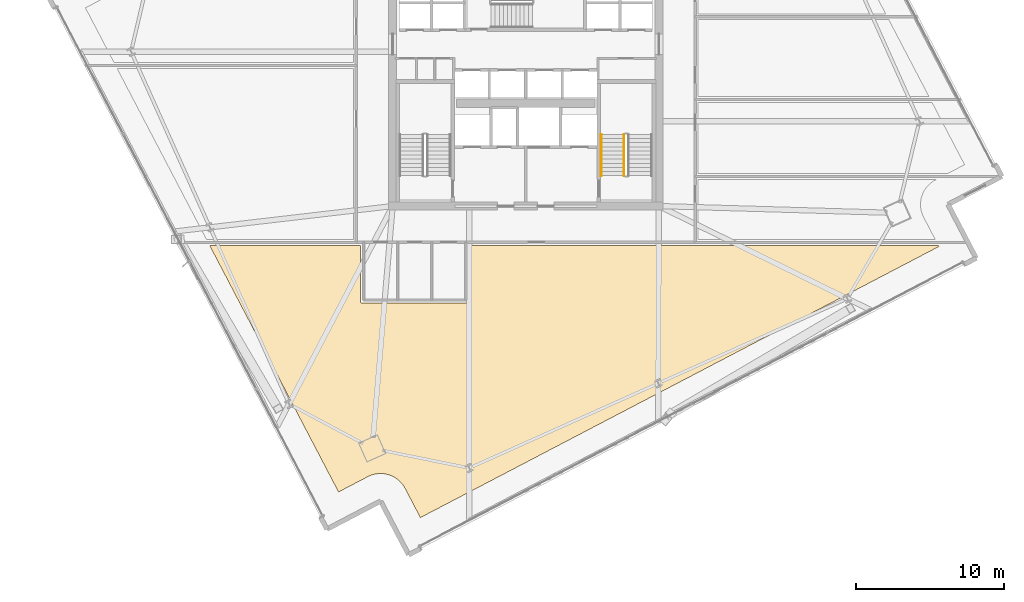
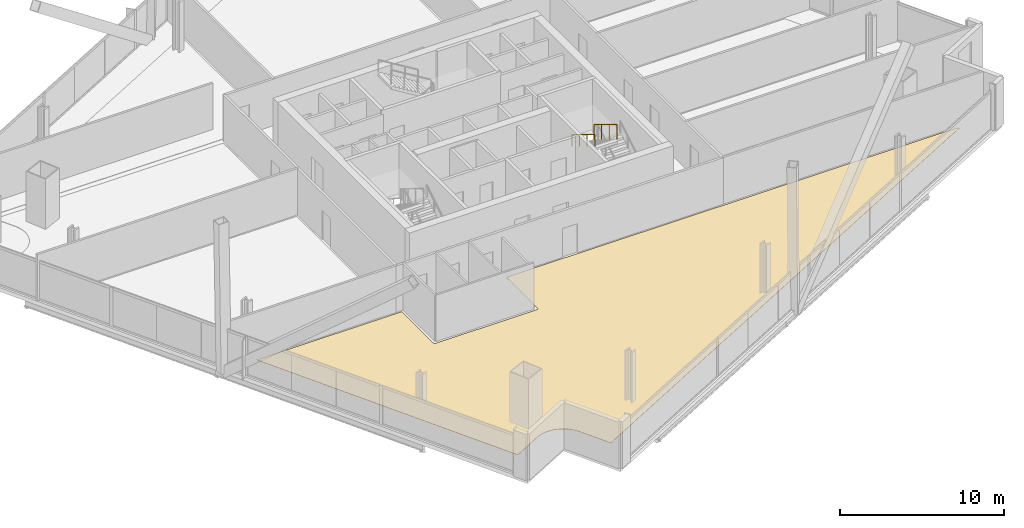
# One storey, part 30 of 33: 2 railings, 1 covering.
"""IFC4 building model written with IfcOpenShell, lengths in metres."""

import ifcopenshell
import ifcopenshell.guid

model = None  # the IFC model being written
_history = None  # IfcOwnerHistory: only IFC2X3 demands one
_inside = {}  # id of a spatial element -> (the spatial element, [elements in it])
_under = {}  # id of a project, library or spatial element -> (it, [spatial elements below it])
_declared = {}  # id of a project -> (the project, [libraries it declares])
_typed = {}  # id of a type object -> (the type object, [elements of that type])
_made_of = {}  # id of a material, layer set ... -> (it, [elements and type objects made of it])


def new_model(schema):
    """Start an empty IFC model of exactly this schema.

    Asked for "IFC4X3", IfcOpenShell would pick the latest addendum, in which some entities
    have other attributes; the version numbers below select the first issue.
    IFC2X3 requires an IfcOwnerHistory on every rooted entity: one is made here for all.
    """
    global model, _history
    if schema == "IFC4X3":
        model = ifcopenshell.file(schema_version=(4, 3, 0, 0))
    else:
        model = ifcopenshell.file(schema=schema)
    _inside.clear()
    _under.clear()
    _declared.clear()
    _typed.clear()
    _made_of.clear()
    _history = None
    if model.schema == "IFC2X3":
        org = make("IfcOrganization", Name="unknown")
        user = make(
            "IfcPersonAndOrganization",
            ThePerson=make("IfcPerson", FamilyName="unknown"),
            TheOrganization=org,
        )
        app = make(
            "IfcApplication",
            ApplicationDeveloper=org,
            Version="unknown",
            ApplicationFullName="unknown",
            ApplicationIdentifier="unknown",
        )
        _history = make(
            "IfcOwnerHistory",
            OwningUser=user,
            OwningApplication=app,
            ChangeAction="ADDED",
            CreationDate=0,
        )
    return model


def make(cls, **values):
    """One entity of the class cls with the attributes given. An attribute that is None is left unset."""
    return model.create_entity(
        cls, **{name: value for name, value in values.items() if value is not None}
    )


def rooted(cls, **values):
    """An entity with a GlobalId (a new one), such as an element, a storey or a relation."""
    return make(cls, GlobalId=ifcopenshell.guid.new(), OwnerHistory=_history, **values)


def si_unit(unit_type, name, prefix=None):
    """IfcSIUnit, for example si_unit("LENGTHUNIT", "METRE", prefix="MILLI")."""
    return make("IfcSIUnit", UnitType=unit_type, Prefix=prefix, Name=name)


def assignment(units):
    """IfcUnitAssignment: the units of a project."""
    return None if units is None else make("IfcUnitAssignment", Units=units)


def point(xyz):
    """IfcCartesianPoint."""
    return None if xyz is None else make("IfcCartesianPoint", Coordinates=xyz)


def direction(xyz):
    """IfcDirection."""
    return None if xyz is None else make("IfcDirection", DirectionRatios=xyz)


def frame(location, z_axis=None, x_axis=None):
    """IfcAxis2Placement3D, a coordinate frame: its origin and axes. An axis left out is left unset."""
    return make(
        "IfcAxis2Placement3D",
        Location=point(location),
        Axis=direction(z_axis),
        RefDirection=direction(x_axis),
    )


def frame_2d(location, x_axis=None):
    """IfcAxis2Placement2D, a coordinate frame in the plane: its origin and x axis."""
    return make(
        "IfcAxis2Placement2D", Location=point(location), RefDirection=direction(x_axis)
    )


def origin():
    """The frame at (0, 0, 0) with its axes left unset."""
    return frame((0.0, 0.0, 0.0))


def origin_2d():
    """The frame at (0, 0) in the plane with its x axis left unset."""
    return frame_2d((0.0, 0.0))


def place(relative_to, where):
    """IfcLocalPlacement: puts the frame where relative to a parent placement (None: the world)."""
    return make(
        "IfcLocalPlacement", PlacementRelTo=relative_to, RelativePlacement=where
    )


def context(
    kind, dimensions, precision=None, world=None, true_north=None, identifier=None
):
    """IfcGeometricRepresentationContext, for example the 3D "Model" context."""
    return make(
        "IfcGeometricRepresentationContext",
        ContextIdentifier=identifier,
        ContextType=kind,
        CoordinateSpaceDimension=dimensions,
        Precision=precision,
        WorldCoordinateSystem=world,
        TrueNorth=true_north,
    )


def subcontext(parent, identifier, kind, view, scale=None):
    """IfcGeometricRepresentationSubContext, for example "Body" below "Model"."""
    return make(
        "IfcGeometricRepresentationSubContext",
        ContextIdentifier=identifier,
        ContextType=kind,
        ParentContext=parent,
        TargetScale=scale,
        TargetView=view,
    )


def project(units=None, contexts=None):
    """IfcProject with its units and contexts."""
    return rooted(
        "IfcProject",
        Name="project",
        RepresentationContexts=contexts,
        UnitsInContext=assignment(units),
    )


def spatial(cls, under=None, at=None, **own):
    """A site, building, storey or space (cls), placed at a placement, below another one or the project."""
    s = rooted(cls, ObjectPlacement=at, **own)
    if under is not None:
        _under.setdefault(under.id(), (under, []))[1].append(s)
    return s


def polyline(points):
    """IfcPolyline through the points."""
    return make("IfcPolyline", Points=[point(p) for p in points])


def profile(cls, at=None, kind="AREA", **sizes):
    """A parametric profile (cls). Its sizes go by their IFC names, for example OverallWidth=200.0."""
    return make(cls, ProfileType=kind, Position=at, **sizes)


def rectangle(**sizes):
    """IfcRectangleProfileDef."""
    return profile("IfcRectangleProfileDef", **sizes)


def outline(outer, holes=None, kind="AREA"):
    """IfcArbitraryClosedProfileDef: a profile drawn as a closed curve; with holes, ...WithVoids."""
    if holes is None:
        return make("IfcArbitraryClosedProfileDef", ProfileType=kind, OuterCurve=outer)
    return make(
        "IfcArbitraryProfileDefWithVoids",
        ProfileType=kind,
        OuterCurve=outer,
        InnerCurves=holes,
    )


def extrude(swept, where, along, depth):
    """IfcExtrudedAreaSolid: the profile swept, set in the frame where, extruded along a direction by depth."""
    return make(
        "IfcExtrudedAreaSolid",
        SweptArea=swept,
        Position=where,
        ExtrudedDirection=direction(along),
        Depth=depth,
    )


def shape(context_of_items, identifier, shape_type, items):
    """IfcShapeRepresentation: the items that make up one representation, for example the "Body"."""
    return make(
        "IfcShapeRepresentation",
        ContextOfItems=context_of_items,
        RepresentationIdentifier=identifier,
        RepresentationType=shape_type,
        Items=items,
    )


def material(Name=None, Category=None):
    """IfcMaterial."""
    return make("IfcMaterial", Name=Name, Category=Category)


def layer(
    of_material, thickness, ventilated=None, Name=None, Category=None, Priority=None
):
    """IfcMaterialLayer: one layer of a wall or slab, of a material (None: an air gap)."""
    return make(
        "IfcMaterialLayer",
        Material=of_material,
        LayerThickness=thickness,
        IsVentilated=ventilated,
        Name=Name,
        Category=Category,
        Priority=Priority,
    )


def layer_set(layers, Name=None):
    """IfcMaterialLayerSet."""
    return make("IfcMaterialLayerSet", MaterialLayers=layers, LayerSetName=Name)


def made_of(thing, what):
    """Note that an element or type object is made of a material, layer set ...; save() writes the relation."""
    if what is not None:
        _made_of.setdefault(what.id(), (what, []))[1].append(thing)
    return thing


def type_object(cls, material=None, **own):
    """A type object (cls), such as IfcWallType, which elements share."""
    return made_of(rooted(cls, **own), material)


def element(
    cls,
    number,
    at=None,
    inside=None,
    cuts=None,
    type_object=None,
    material=None,
    context=None,
    identifier="Body",
    shape_type=None,
    held_by="IfcProductDefinitionShape",
    body=None,
    shapes=None,
    **own,
):
    """One element of the class cls, such as IfcWall. Its Tag is "e" and its number.

    at: its placement. inside: the storey or other place that contains it. cuts: it is an
    opening in that element (IfcRelVoidsElement). A single representation is given by context,
    identifier, shape_type and body (its items); several are given by shapes. held_by: the class
    of the entity that holds the representations. save() writes the other relations.
    """
    e = rooted(cls, Tag="e%d" % number, ObjectPlacement=at, **own)
    if body is not None:
        shapes = [shape(context, identifier, shape_type, body)]
    if shapes is not None:
        e.Representation = make(held_by, Representations=shapes)
    if inside is not None:
        _inside.setdefault(inside.id(), (inside, []))[1].append(e)
    if cuts is not None:
        rooted(
            "IfcRelVoidsElement", RelatingBuildingElement=cuts, RelatedOpeningElement=e
        )
    if type_object is not None:
        _typed.setdefault(type_object.id(), (type_object, []))[1].append(e)
    return made_of(e, material)


def aggregate(whole, parts):
    """IfcRelAggregates: a whole, such as a stair, and the parts it consists of."""
    return rooted("IfcRelAggregates", RelatingObject=whole, RelatedObjects=parts)


def save(model, path):
    """Write the relations noted so far, then the file.

    IfcRelAggregates (storeys below a building ...), IfcRelContainedInSpatialStructure (elements
    in a storey), IfcRelDefinesByType, IfcRelAssociatesMaterial and IfcRelDeclares: one each for
    every whole, place, type object, material and project.
    """
    for whole, parts in _under.values():
        aggregate(whole, parts)
    for where, things in _inside.values():
        rooted(
            "IfcRelContainedInSpatialStructure",
            RelatedElements=things,
            RelatingStructure=where,
        )
    for kind, things in _typed.values():
        rooted("IfcRelDefinesByType", RelatedObjects=things, RelatingType=kind)
    for what, things in _made_of.values():
        rooted("IfcRelAssociatesMaterial", RelatedObjects=things, RelatingMaterial=what)
    for by, libraries in _declared.values():
        rooted("IfcRelDeclares", RelatingContext=by, RelatedDefinitions=libraries)
    model.write(path)


model = new_model("IFC4")

# Units and contexts
model_context = context("Model", 3, precision=1e-05, world=origin(), true_north=direction((0.0, 1.0)))
body_context = subcontext(model_context, "Body", "Model", "MODEL_VIEW")
ifc_project = project(units=[si_unit("LENGTHUNIT", "METRE"), si_unit("AREAUNIT", "SQUARE_METRE"), si_unit("VOLUMEUNIT", "CUBIC_METRE"), si_unit("PLANEANGLEUNIT", "RADIAN"), si_unit("MASSUNIT", "GRAM", prefix="KILO")], contexts=[model_context])

# Site, building, storey
site_placement = place(None, origin())
site = spatial("IfcSite", under=ifc_project, at=site_placement, CompositionType="ELEMENT")
building_placement = place(site_placement, origin())
building = spatial("IfcBuilding", under=site, at=building_placement, Name="Haldenkirk Collegiate Tower", CompositionType="ELEMENT")
storey_placement = place(building_placement, frame((0.0, 0.0, 120.449951171875)))
storey = spatial("IfcBuildingStorey", under=building, at=storey_placement, Name="L29", CompositionType="ELEMENT", Elevation=120.449951171875)

# Covering
ifc_material_1 = material(Name="Engineered collegiate oak acoustic flooring", Category="wood")
ifc_layer = layer(ifc_material_1, 0.02197265625)
ifc_layer_set = layer_set([ifc_layer], Name="Engineered collegiate oak acoustic flooring")
covering_type = type_object("IfcCoveringType", Name="COV-FLOOR-TIMBER", PredefinedType="FLOORING", material=ifc_layer_set)
covering_placement = place(storey_placement, origin())
element("IfcCovering", 1, at=covering_placement, inside=storey, type_object=covering_type, Name="L29 academic room finish 01", PredefinedType="FLOORING", context=body_context, shape_type="SweptSolid", body=[
    extrude(outline(polyline([(27.387939453125, -0.523193359375), (27.37890625, -0.515625), (27.241943359375, -0.412109375), (27.232177734375, -0.4052734375), (27.085693359375, -0.315673828125), (27.0751953125, -0.31005859375), (26.920654296875, -0.235107421875), (26.909912109375, -0.230712890625), (26.74853515625, -0.17138671875), (26.737548828125, -0.167724609375), (26.5712890625, -0.12451171875), (26.559814453125, -0.1220703125), (26.39013671875, -0.095458984375), (26.37841796875, -0.093994140625), (26.20703125, -0.083984375), (26.1953125, -0.083984375), (26.023681640625, -0.0908203125), (26.01171875, -0.091796875), (25.841796875, -0.115478515625), (25.830078125, -0.11767578125), (25.6630859375, -0.157958984375), (25.652099609375, -0.1611328125), (25.48974609375, -0.217529296875), (25.478759765625, -0.221923828125), (25.32275390625, -0.2939453125), (25.3173828125, -0.296630859375), (23.34130859375, -1.329833984375), (14.621337890625, 15.35009765625), (24.830078125, 15.35009765625), (24.830078125, 11.550048828125), (24.83056640625, 11.5380859375), (24.832275390625, 11.526611328125), (24.835205078125, 11.51513671875), (24.839111328125, 11.504150390625), (24.84423828125, 11.493408203125), (24.85009765625, 11.4833984375), (24.857177734375, 11.473876953125), (24.864990234375, 11.465087890625), (24.873779296875, 11.457275390625), (24.88330078125, 11.4501953125), (24.893310546875, 11.444091796875), (24.904052734375, 11.439208984375), (24.915283203125, 11.435302734375), (24.926513671875, 11.432373046875), (24.938232421875, 11.4306640625), (24.949951171875, 11.429931640625), (32.050048828125, 11.429931640625), (32.061767578125, 11.4306640625), (32.073486328125, 11.432373046875), (32.084716796875, 11.435302734375), (32.095947265625, 11.439208984375), (32.106689453125, 11.444091796875), (32.11669921875, 11.4501953125), (32.126220703125, 11.457275390625), (32.135009765625, 11.465087890625), (32.142822265625, 11.473876953125), (32.14990234375, 11.4833984375), (32.15576171875, 11.493408203125), (32.160888671875, 11.504150390625), (32.164794921875, 11.51513671875), (32.167724609375, 11.526611328125), (32.16943359375, 11.5380859375), (32.169921875, 11.550048828125), (32.169921875, 15.35009765625), (63.8876953125, 15.35009765625), (63.932373046875, 15.264404296875), (28.874267578125, -3.063720703125), (27.841064453125, -1.08740234375), (27.83837890625, -1.082275390625), (27.751220703125, -0.93408203125), (27.744873046875, -0.92431640625), (27.643798828125, -0.785400390625), (27.636474609375, -0.7763671875), (27.522216796875, -0.64794921875), (27.513916015625, -0.6396484375), (27.387939453125, -0.523193359375)])), origin(), (0.0, 0.0, 1.0), 0.02197265625),
])

# Railings
ifc_material_2 = material(Name="Painted architectural tubular steel", Category="steel")
railing_type_1 = type_object("IfcRailingType", Name="RLG-STAIR-GUARD-1100", PredefinedType="BALUSTRADE", material=ifc_material_2)
railing_1_placement = place(storey_placement, frame((42.64990234375, 22.85009765625, 2.04541015625)))
element("IfcRailing", 2, at=railing_1_placement, inside=storey, type_object=railing_type_1, Name="L29 ST-2 stair guard 3", PredefinedType="BALUSTRADE", context=body_context, shape_type="SweptSolid", body=[
    extrude(rectangle(XDim=0.048095703125, YDim=0.048095703125, at=origin_2d()), frame((0.0, 0.0, 1.076171875), z_axis=(0.0, -0.854169791009, 0.51999420009), x_axis=(1.0, 0.0, 0.0)), (0.0, 0.0, 1.0), 3.278076171875),
    extrude(rectangle(XDim=0.0419921875, YDim=0.0419921875, at=origin_2d()), origin(), (0.0, 0.0, 1.0), 1.052001953125),
    extrude(rectangle(XDim=0.0419921875, YDim=0.0419921875, at=origin_2d()), frame((0.0, -0.933349609375, 0.568115234375)), (0.0, 0.0, 1.0), 1.052001953125),
    extrude(rectangle(XDim=0.0419921875, YDim=0.0419921875, at=origin_2d()), frame((0.0, -1.86669921875, 1.136474609375)), (0.0, 0.0, 1.0), 1.052001953125),
    extrude(rectangle(XDim=0.0419921875, YDim=0.0419921875, at=origin_2d()), frame((0.0, -2.800048828125, 1.70458984375)), (0.0, 0.0, 1.0), 1.052001953125),
])
railing_type_2 = type_object("IfcRailingType", Name="RLG-STAIR-HANDRAIL-900", PredefinedType="HANDRAIL", material=ifc_material_2)
railing_2_placement = place(storey_placement, frame((41.10009765625, 22.85009765625, 2.04541015625)))
element("IfcRailing", 3, at=railing_2_placement, inside=storey, type_object=railing_type_2, Name="L29 ST-2 stair handrail 2", PredefinedType="HANDRAIL", context=body_context, shape_type="SweptSolid", body=[
    extrude(rectangle(XDim=0.048095703125, YDim=0.048095703125, at=origin_2d()), frame((0.0, 0.0, 0.8759765625), z_axis=(0.0, -0.854169791009, 0.51999420009), x_axis=(1.0, 0.0, 0.0)), (0.0, 0.0, 1.0), 3.278076171875),
    extrude(rectangle(XDim=0.0419921875, YDim=0.0419921875, at=origin_2d()), origin(), (0.0, 0.0, 1.0), 0.851806640625),
    extrude(rectangle(XDim=0.0419921875, YDim=0.0419921875, at=origin_2d()), frame((0.0, -0.933349609375, 0.568115234375)), (0.0, 0.0, 1.0), 0.851806640625),
    extrude(rectangle(XDim=0.0419921875, YDim=0.0419921875, at=origin_2d()), frame((0.0, -1.86669921875, 1.136474609375)), (0.0, 0.0, 1.0), 0.851806640625),
    extrude(rectangle(XDim=0.0419921875, YDim=0.0419921875, at=origin_2d()), frame((0.0, -2.800048828125, 1.70458984375)), (0.0, 0.0, 1.0), 0.851806640625),
])

save(model, "model.ifc")
